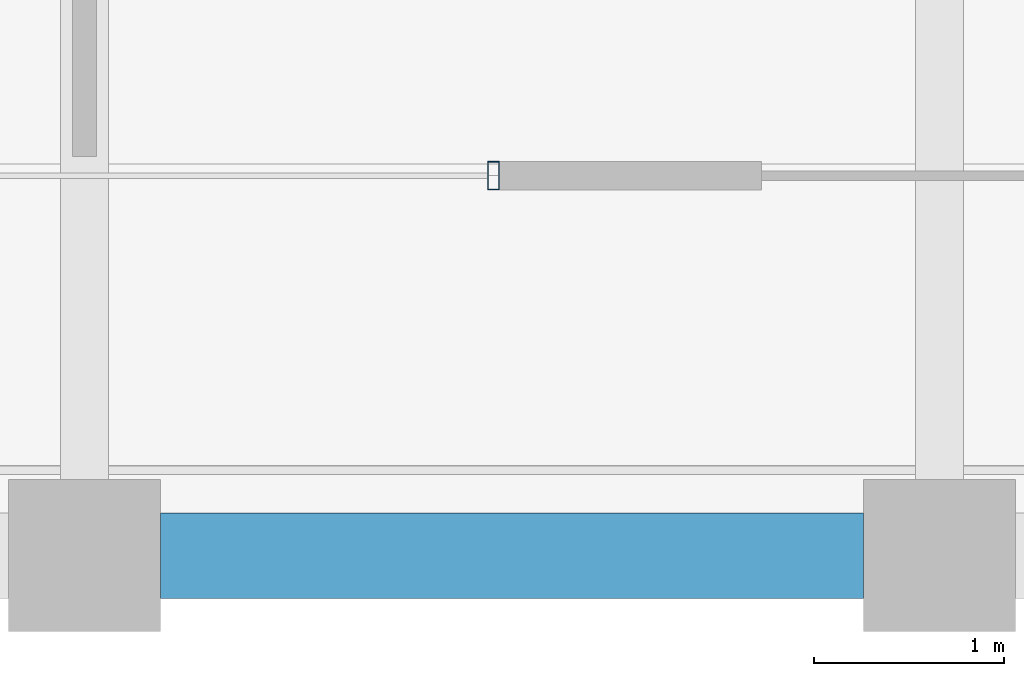
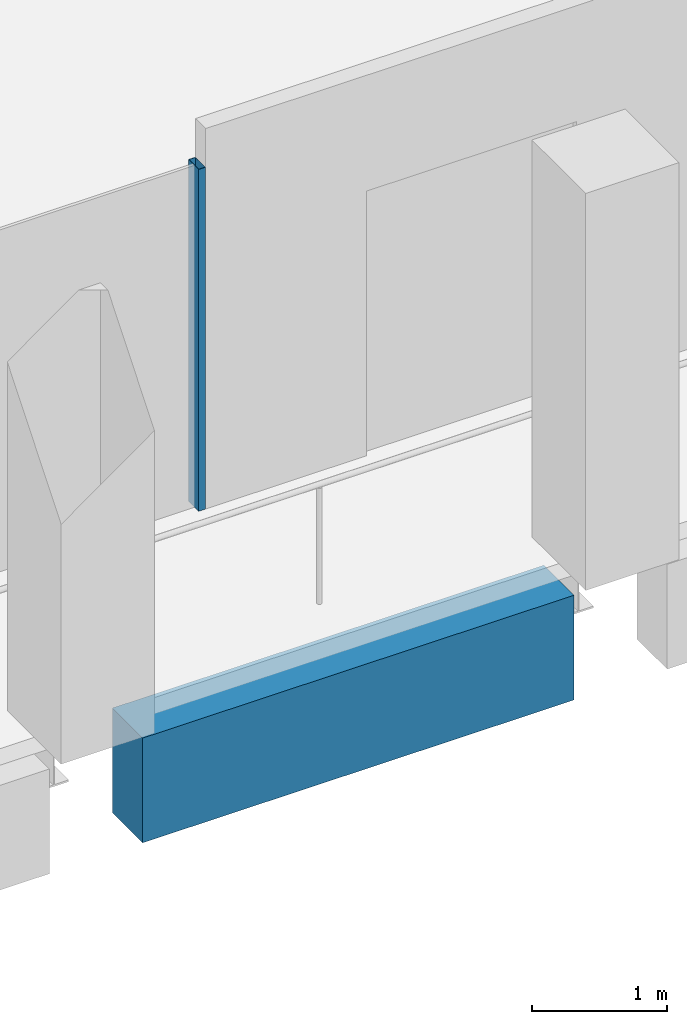
# One storey, part 7 of 30: 1 beam, 1 member, 1 element without a shape of its own.
"""IFC4 building model written with IfcOpenShell, lengths in metres."""

from ifc_helpers import new_model, si_unit, direction, frame, origin, origin_2d, place, context, subcontext, project, spatial, rectangle, hollow_rectangle, extrude, material, material_profile, profile_set, type_object, element, aggregate, save


model = new_model("IFC4")

# Units and contexts
model_context = context("Model", 3, precision=1e-05, world=origin(), true_north=direction((0.0, 1.0)))
body_context = subcontext(model_context, "Body", "Model", "MODEL_VIEW")
ifc_project = project(units=[si_unit("LENGTHUNIT", "METRE"), si_unit("AREAUNIT", "SQUARE_METRE"), si_unit("VOLUMEUNIT", "CUBIC_METRE"), si_unit("PLANEANGLEUNIT", "RADIAN"), si_unit("MASSUNIT", "GRAM", prefix="KILO")], contexts=[model_context])

# Site, building, storey
site_placement = place(None, origin())
site = spatial("IfcSite", under=ifc_project, at=site_placement, CompositionType="ELEMENT")
building_placement = place(site_placement, origin())
building = spatial("IfcBuilding", under=site, at=building_placement, Name="Altepetl Exchange Towers", CompositionType="ELEMENT")
storey_placement = place(building_placement, frame((0.0, 0.0, 217.199951171875)))
storey = spatial("IfcBuildingStorey", under=building, at=storey_placement, Name="L55", CompositionType="ELEMENT", Elevation=217.199951171875)

# Curtain wall, member
ifc_material_1 = material(Name="Aluminium 6063-T6 glazing", Category="aluminium")
curtain_wall_type = type_object("IfcCurtainWallType", Name="Loggia glazing system", PredefinedType="NOTDEFINED", material=ifc_material_1)
curtain_wall_placement = place(storey_placement, origin())
curtain_wall = element("IfcCurtainWall", 1, at=curtain_wall_placement, inside=storey, type_object=curtain_wall_type, Name="CW1 run", PredefinedType="NOTDEFINED")
ifc_material_2 = material(Name="Aluminium 6063-T6", Category="aluminium")
ifc_material_profile_1 = material_profile(ifc_material_2, hollow_rectangle(XDim=0.06005859375, YDim=0.14990234375, WallThickness=0.0029296875, at=origin_2d()), Name="Mullion 60x150 aluminium")
ifc_profile_set_1 = profile_set([ifc_material_profile_1], Name="Aluminium 6063-T6")
member_type = type_object("IfcMemberType", Name="Mullion 60x150 aluminium", PredefinedType="MULLION", material=ifc_profile_set_1)
member_placement = place(storey_placement, frame((47.152099609375, 29.0, 0.0)))
member = element("IfcMember", 2, at=member_placement, type_object=member_type, Name="MU1 mullion", PredefinedType="MULLION", context=body_context, shape_type="SweptSolid", body=[
    extrude(hollow_rectangle(XDim=0.06005859375, YDim=0.14990234375, WallThickness=0.0029296875, at=origin_2d()), origin(), (0.0, 0.0, 1.0), 3.10009765625),
])
aggregate(curtain_wall, [member])

# Beam
ifc_material_3 = material(Name="Concrete C50/60 precast with cantera blanca facing", Category="concrete")
ifc_material_profile_2 = material_profile(ifc_material_3, rectangle(XDim=0.449951171875, YDim=0.949951171875, at=origin_2d()), Name="450 x 950")
ifc_profile_set_2 = profile_set([ifc_material_profile_2], Name="Concrete C50/60 precast with cantera blanca facing")
beam_type = type_object("IfcBeamType", Name="Spandrel beam 450x950 cantera blanca", PredefinedType="SPANDREL", material=ifc_profile_set_2)
beam_placement = place(storey_placement, frame((45.39990234375, 27.0, -0.625), z_axis=(1.0, 0.0, 0.0), x_axis=(0.0, 1.0, 0.0)))
element("IfcBeam", 3, at=beam_placement, inside=storey, type_object=beam_type, Name="sp:A:L55:003", PredefinedType="SPANDREL", context=body_context, shape_type="SweptSolid", body=[
    extrude(rectangle(XDim=0.449951171875, YDim=0.949951171875, at=origin_2d()), origin(), (0.0, 0.0, 1.0), 3.7001953125),
])

save(model, "model.ifc")
